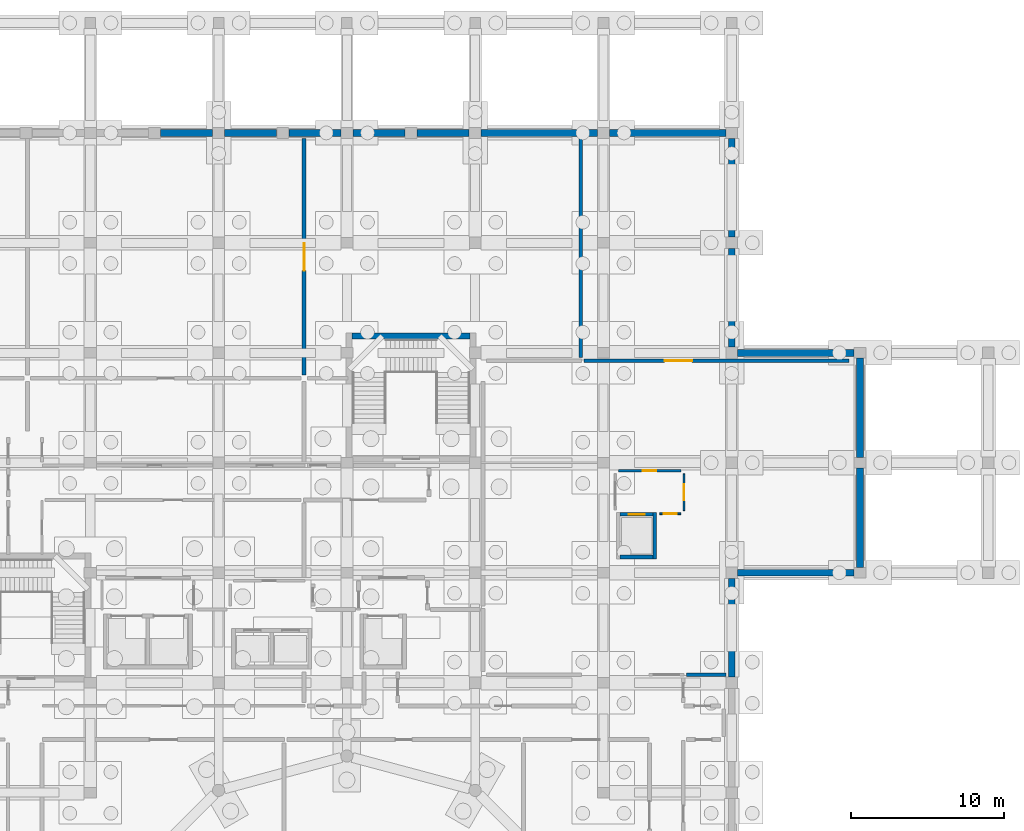
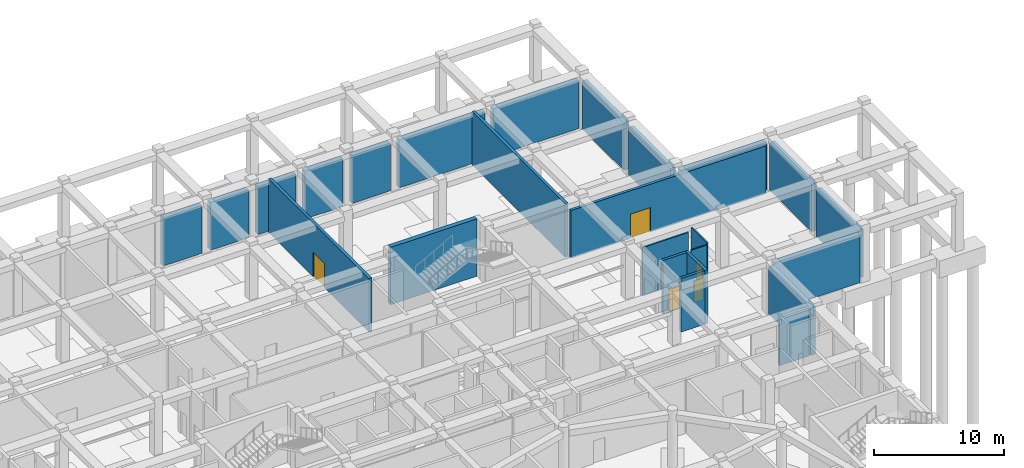
# One storey, part 26 of 32: 25 walls, 6 doors, 6 openings.
"""IFC4 building model written with IfcOpenShell, lengths in metres."""

from ifc_helpers import new_model, si_unit, derived_unit, direction, frame, frame_2d, origin, place, context, subcontext, project, spatial, rectangle, extrude, material, layer, layer_set, type_object, element, fill, save


model = new_model("IFC4")

# Units and contexts
model_context = context("Model", 3, precision=1e-05, world=origin(), true_north=direction((0.0, 1.0)))
body_context = subcontext(model_context, "Body", "Model", "MODEL_VIEW")
ifc_project = project(units=[si_unit("LENGTHUNIT", "METRE"), si_unit("AREAUNIT", "SQUARE_METRE"), si_unit("VOLUMEUNIT", "CUBIC_METRE"), si_unit("PLANEANGLEUNIT", "RADIAN"), si_unit("MASSUNIT", "GRAM", prefix="KILO"), derived_unit("THERMALTRANSMITTANCEUNIT", [(si_unit("POWERUNIT", "WATT"), 1), (si_unit("LENGTHUNIT", "METRE"), -2), (si_unit("THERMODYNAMICTEMPERATUREUNIT", "KELVIN"), -1)])], contexts=[model_context])

# Site, building, storey
site_placement = place(None, origin())
site = spatial("IfcSite", under=ifc_project, at=site_placement, CompositionType="ELEMENT")
building_placement = place(site_placement, origin())
building = spatial("IfcBuilding", under=site, at=building_placement, Name="Veybourne Emporium", CompositionType="ELEMENT")
storey_placement = place(building_placement, frame((0.0, 0.0, -5.39990234375)))
storey = spatial("IfcBuildingStorey", under=building, at=storey_placement, Name="B1", CompositionType="ELEMENT", Elevation=-5.39990234375)

# Walls
ifc_material_1 = material(Name="Concrete C40/50", Category="concrete")
ifc_layer_1 = layer(ifc_material_1, 0.449951171875)
ifc_layer_set_1 = layer_set([ifc_layer_1], Name="Concrete C40/50")
wall_type_1 = type_object("IfcWallType", Name="ExtWall_RW-01", PredefinedType="USERDEFINED", material=ifc_layer_set_1)
wall_1_placement = place(storey_placement, frame((63.39990234375, 108.0, 0.0), z_axis=(0.0, 0.0, 1.0), x_axis=(1.0, 0.0, 0.0)))
element("IfcWall", 1, at=wall_1_placement, inside=storey, type_object=wall_type_1, Name="Basement perimeter retaining wall 035B", ObjectType="RETAININGWALL", PredefinedType="USERDEFINED", context=body_context, shape_type="SweptSolid", body=[
    extrude(rectangle(XDim=3.41015625, YDim=0.449951171875, at=frame_2d((1.705078125, 0.0))), origin(), (0.0, 0.0, 1.0), 4.5),
])
for number, where, z_axis, x_axis, name in (
    (2, (67.590087890625, 108.0, 0.0), (0.0, 0.0, 1.0), (1.0, 0.0, 0.0), "Basement perimeter retaining wall 038A"),
    (3, (71.800048828125, 108.0, 0.0), (0.0, 0.0, 1.0), (1.0, 0.0, 0.0), "Basement perimeter retaining wall 038B"),
    (4, (75.989990234375, 108.0, 0.0), (0.0, 0.0, 1.0), (1.0, 0.0, 0.0), "Basement perimeter retaining wall 046A"),
):
    element("IfcWall", number, at=place(storey_placement, frame(where, z_axis=z_axis, x_axis=x_axis)), inside=storey, type_object=wall_type_1, Name=name, ObjectType="RETAININGWALL", PredefinedType="USERDEFINED", context=body_context, shape_type="SweptSolid", body=[
        extrude(rectangle(XDim=3.409912109375, YDim=0.449951171875, at=frame_2d((1.705078125, 0.0))), origin(), (0.0, 0.0, 1.0), 4.5),
    ])
wall_2_placement = place(storey_placement, frame((80.199951171875, 108.0, 0.0), z_axis=(0.0, 0.0, 1.0), x_axis=(1.0, 0.0, 0.0)))
element("IfcWall", 5, at=wall_2_placement, inside=storey, type_object=wall_type_1, Name="Basement perimeter retaining wall 046B", ObjectType="RETAININGWALL", PredefinedType="USERDEFINED", context=body_context, shape_type="SweptSolid", body=[
    extrude(rectangle(XDim=3.41015625, YDim=0.449951171875, at=frame_2d((1.705078125, 0.0))), origin(), (0.0, 0.0, 1.0), 4.5),
])
wall_3_placement = place(storey_placement, frame((84.389892578125, 108.0, 0.0), z_axis=(0.0, 0.0, 1.0), x_axis=(1.0, 0.0, 0.0)))
element("IfcWall", 6, at=wall_3_placement, inside=storey, type_object=wall_type_1, Name="Basement perimeter retaining wall 051", ObjectType="RETAININGWALL", PredefinedType="USERDEFINED", context=body_context, shape_type="SweptSolid", body=[
    extrude(rectangle(XDim=7.6201171875, YDim=0.449951171875, at=frame_2d((3.81005859375, 0.0))), origin(), (0.0, 0.0, 1.0), 4.5),
])
for number, where, z_axis, x_axis, name in (
    (7, (100.800048828125, 78.824951171875, 0.0), (0.0, 0.0, 1.0), (0.0, -1.0, 0.0), "Basement perimeter retaining wall 060"),
    (8, (100.800048828125, 100.425048828125, 0.0), (0.0, 0.0, 1.0), (0.0, -1.0, 0.0), "Basement perimeter retaining wall 061"),
):
    element("IfcWall", number, at=place(storey_placement, frame(where, z_axis=z_axis, x_axis=x_axis)), inside=storey, type_object=wall_type_1, Name=name, ObjectType="RETAININGWALL", PredefinedType="USERDEFINED", context=body_context, shape_type="SweptSolid", body=[
        extrude(rectangle(XDim=6.449951171875, YDim=0.449951171875, at=frame_2d((3.22509765625, 0.0))), origin(), (0.0, 0.0, 1.0), 4.5),
    ])
wall_4_placement = place(storey_placement, frame((100.800048828125, 107.639892578125, 0.0), z_axis=(0.0, 0.0, 1.0), x_axis=(0.0, -1.0, 0.0)))
element("IfcWall", 9, at=wall_4_placement, inside=storey, type_object=wall_type_1, Name="Basement perimeter retaining wall 062", ObjectType="RETAININGWALL", PredefinedType="USERDEFINED", context=body_context, shape_type="SweptSolid", body=[
    extrude(rectangle(XDim=6.46484375, YDim=0.449951171875, at=frame_2d((3.232421875, 0.0))), origin(), (0.0, 0.0, 1.0), 4.5),
])
wall_5_placement = place(storey_placement, frame((92.7900390625, 108.0, 0.0), z_axis=(0.0, 0.0, 1.0), x_axis=(1.0, 0.0, 0.0)))
element("IfcWall", 10, at=wall_5_placement, inside=storey, type_object=wall_type_1, Name="Basement perimeter retaining wall 063", ObjectType="RETAININGWALL", PredefinedType="USERDEFINED", context=body_context, shape_type="SweptSolid", body=[
    extrude(rectangle(XDim=7.619873046875, YDim=0.449951171875, at=frame_2d((3.81005859375, 0.0))), origin(), (0.0, 0.0, 1.0), 4.5),
])
wall_6_placement = place(storey_placement, frame((108.800048828125, 79.199951171875, 0.0), z_axis=(0.0, 0.0, 1.0), x_axis=(-1.0, 0.0, 0.0)))
element("IfcWall", 11, at=wall_6_placement, inside=storey, type_object=wall_type_1, Name="Basement perimeter retaining wall 066", ObjectType="RETAININGWALL", PredefinedType="USERDEFINED", context=body_context, shape_type="SweptSolid", body=[
    extrude(rectangle(XDim=7.625, YDim=0.449951171875, at=frame_2d((3.8125, 0.0))), origin(), (0.0, 0.0, 1.0), 4.5),
])
for number, where, z_axis, x_axis, name in (
    (12, (109.199951171875, 86.050048828125, 0.0), (0.0, 0.0, 1.0), (0.0, -1.0, 0.0), "Basement perimeter retaining wall 067"),
    (13, (109.199951171875, 93.25, 0.0), (0.0, 0.0, 1.0), (0.0, -1.0, 0.0), "Basement perimeter retaining wall 068"),
):
    element("IfcWall", number, at=place(storey_placement, frame(where, z_axis=z_axis, x_axis=x_axis)), inside=storey, type_object=wall_type_1, Name=name, ObjectType="RETAININGWALL", PredefinedType="USERDEFINED", context=body_context, shape_type="SweptSolid", body=[
        extrude(rectangle(XDim=6.5, YDim=0.449951171875, at=frame_2d((3.25, 0.0))), origin(), (0.0, 0.0, 1.0), 4.5),
    ])
wall_7_placement = place(storey_placement, frame((101.175048828125, 93.60009765625, 0.0), z_axis=(0.0, 0.0, 1.0), x_axis=(1.0, 0.0, 0.0)))
element("IfcWall", 14, at=wall_7_placement, inside=storey, type_object=wall_type_1, Name="Basement perimeter retaining wall 069", ObjectType="RETAININGWALL", PredefinedType="USERDEFINED", context=body_context, shape_type="SweptSolid", body=[
    extrude(rectangle(XDim=7.625, YDim=0.449951171875, at=frame_2d((3.8125, 0.0))), origin(), (0.0, 0.0, 1.0), 4.5),
])
ifc_layer_2 = layer(ifc_material_1, 0.39990234375)
ifc_layer_set_2 = layer_set([ifc_layer_2], Name="Concrete C40/50")
wall_type_2 = type_object("IfcWallType", Name="IntWall_CW-01", PredefinedType="SHEAR", material=ifc_layer_set_2)
wall_8_placement = place(storey_placement, frame((75.949951171875, 94.699951171875, 0.0), z_axis=(0.0, 0.0, 1.0), x_axis=(1.0, 0.0, 0.0)))
element("IfcWall", 15, at=wall_8_placement, inside=storey, type_object=wall_type_2, Name="Core stair ST-04 north shear wall (B1)", PredefinedType="SHEAR", context=body_context, shape_type="SweptSolid", body=[
    extrude(rectangle(XDim=7.699951171875, YDim=0.39990234375, at=frame_2d((3.85009765625, 0.0))), origin(), (0.0, 0.0, 1.0), 5.39990234375),
])

# Wall, opening, door
ifc_layer_3 = layer(ifc_material_1, 0.239990234375)
ifc_layer_set_3 = layer_set([ifc_layer_3], Name="Concrete C40/50")
wall_type_3 = type_object("IfcWallType", Name="IntWall_CW-04", PredefinedType="SHEAR", material=ifc_layer_set_3)
wall_9_placement = place(storey_placement, frame((95.64990234375, 83.02001953125, 0.0), z_axis=(0.0, 0.0, 1.0), x_axis=(-1.0, 0.0, 0.0)))
wall_9 = element("IfcWall", 16, at=wall_9_placement, inside=storey, type_object=wall_type_3, Name="Lift core CL north shaft wall (B1)", PredefinedType="SHEAR", context=body_context, shape_type="SweptSolid", body=[
    extrude(rectangle(XDim=2.14990234375, YDim=0.239990234375, at=frame_2d((1.074951171875, 0.0))), origin(), (0.0, 0.0, 1.0), 5.0498046875),
])
opening_1_placement = place(wall_9_placement, frame((0.550048828125, 0.0, 0.0)))
opening_1 = element("IfcOpeningElement", 17, at=opening_1_placement, cuts=wall_9, Name="Opening LD-04", PredefinedType="OPENING", context=body_context, shape_type="SweptSolid", body=[
    extrude(rectangle(XDim=1.050048828125, YDim=2.199951171875, at=frame_2d((0.52490234375, 1.10009765625))), frame((0.0, 0.14013671875, 0.0), z_axis=(0.0, -1.0, 0.0), x_axis=(1.0, 0.0, 0.0)), (0.0, 0.0, 1.0), 0.280029296875),
])
ifc_material_2 = material(Name="Patinated Architectural Bronze", Category="bronze")
door_type_1 = type_object("IfcDoorType", Name="FireDoor_LD-04", OperationType="SLIDING_TO_RIGHT", PredefinedType="DOOR", material=ifc_material_2)
door_1_placement = place(opening_1_placement, origin())
door_1 = element("IfcDoor", 18, at=door_1_placement, inside=storey, type_object=door_type_1, Name="Lift CL-01 sliding landing door (B1)", OperationType="SLIDING_TO_RIGHT", OverallHeight=2.199951171875, OverallWidth=1.050048828125, PredefinedType="DOOR", context=body_context, shape_type="SweptSolid", body=[
    extrude(rectangle(XDim=1.050048828125, YDim=2.199951171875, at=frame_2d((0.52490234375, 1.10009765625))), frame((0.0, 0.02490234375, 0.0), z_axis=(0.0, -1.0, 0.0), x_axis=(1.0, 0.0, 0.0)), (0.0, 0.0, 1.0), 0.050048828125),
])
fill(opening_1, door_1)

# Walls
wall_10_placement = place(storey_placement, frame((93.5, 80.22998046875, 0.0), z_axis=(0.0, 0.0, 1.0), x_axis=(1.0, 0.0, 0.0)))
element("IfcWall", 19, at=wall_10_placement, inside=storey, type_object=wall_type_3, Name="Lift core CL south shaft wall (B1)", PredefinedType="SHEAR", context=body_context, shape_type="SweptSolid", body=[
    extrude(rectangle(XDim=2.14990234375, YDim=0.239990234375, at=frame_2d((1.074951171875, 0.0))), origin(), (0.0, 0.0, 1.0), 5.0498046875),
])
wall_11_placement = place(storey_placement, frame((95.77001953125, 80.110107421875, 0.0), z_axis=(0.0, 0.0, 1.0), x_axis=(0.0, 1.0, 0.0)))
element("IfcWall", 20, at=wall_11_placement, inside=storey, type_object=wall_type_3, Name="Lift core CL east shaft wall (B1)", PredefinedType="SHEAR", context=body_context, shape_type="SweptSolid", body=[
    extrude(rectangle(XDim=3.02978515625, YDim=0.239990234375, at=frame_2d((1.514892578125, 0.0))), origin(), (0.0, 0.0, 1.0), 5.0498046875),
])

# Wall, opening, door
ifc_material_3 = material(Name="Concrete C32/40", Category="concrete")
ifc_layer_4 = layer(ifc_material_3, 0.25)
ifc_layer_set_4 = layer_set([ifc_layer_4], Name="Concrete C32/40")
wall_type_4 = type_object("IfcWallType", Name="IntWall_FW-01", PredefinedType="SOLIDWALL", material=ifc_layer_set_4)
wall_12_placement = place(storey_placement, frame((91.1298828125, 93.080078125, 0.0), z_axis=(0.0, 0.0, 1.0), x_axis=(1.0, 0.0, 0.0)))
wall_12 = element("IfcWall", 21, at=wall_12_placement, inside=storey, type_object=wall_type_4, Name="B1 interior partition FW-01 #140", PredefinedType="SOLIDWALL", context=body_context, shape_type="SweptSolid", body=[
    extrude(rectangle(XDim=17.340087890625, YDim=0.25, at=frame_2d((8.669921875, 0.0))), origin(), (0.0, 0.0, 1.0), 4.5),
])
opening_2_placement = place(wall_12_placement, frame((5.28369140625, 0.0, 0.0)))
opening_2 = element("IfcOpeningElement", 22, at=opening_2_placement, cuts=wall_12, Name="Opening FD-03", PredefinedType="OPENING", context=body_context, shape_type="SweptSolid", body=[
    extrude(rectangle(XDim=1.800048828125, YDim=2.300048828125, at=frame_2d((0.89990234375, 1.14990234375))), frame((0.0, 0.14501953125, 0.0), z_axis=(0.0, -1.0, 0.0), x_axis=(1.0, 0.0, 0.0)), (0.0, 0.0, 1.0), 0.2900390625),
])
door_type_2 = type_object("IfcDoorType", Name="FireDoor_FD-03", OperationType="DOUBLE_DOOR_SINGLE_SWING", PredefinedType="DOOR", material=ifc_material_2)
door_2_placement = place(opening_2_placement, origin())
door_2 = element("IfcDoor", 23, at=door_2_placement, inside=storey, type_object=door_type_2, Name="B1 interior door FD-03 (PART-B1-140)", OperationType="DOUBLE_DOOR_SINGLE_SWING", OverallHeight=2.300048828125, OverallWidth=1.800048828125, PredefinedType="DOOR", context=body_context, shape_type="SweptSolid", body=[
    extrude(rectangle(XDim=1.800048828125, YDim=2.300048828125, at=frame_2d((0.89990234375, 1.14990234375))), frame((0.0, 0.02490234375, 0.0), z_axis=(0.0, -1.0, 0.0), x_axis=(1.0, 0.0, 0.0)), (0.0, 0.0, 1.0), 0.050048828125),
])
fill(opening_2, door_2)

wall_13_placement = place(storey_placement, frame((72.800048828125, 92.139892578125, 0.0), z_axis=(0.0, 0.0, 1.0), x_axis=(0.0, 1.0, 0.0)))
wall_13 = element("IfcWall", 24, at=wall_13_placement, inside=storey, type_object=wall_type_4, Name="B1 interior partition FW-01 #146", PredefinedType="SOLIDWALL", context=body_context, shape_type="SweptSolid", body=[
    extrude(rectangle(XDim=15.489990234375, YDim=0.25, at=frame_2d((7.7451171875, 0.0))), origin(), (0.0, 0.0, 1.0), 5.0498046875),
])
opening_3_placement = place(wall_13_placement, frame((6.844970703125, 0.0, 0.0)))
opening_3 = element("IfcOpeningElement", 25, at=opening_3_placement, cuts=wall_13, Name="Opening FD-03", PredefinedType="OPENING", context=body_context, shape_type="SweptSolid", body=[
    extrude(rectangle(XDim=1.800048828125, YDim=2.300048828125, at=frame_2d((0.89990234375, 1.14990234375))), frame((0.0, 0.14501953125, 0.0), z_axis=(0.0, -1.0, 0.0), x_axis=(1.0, 0.0, 0.0)), (0.0, 0.0, 1.0), 0.2900390625),
])
door_3_placement = place(opening_3_placement, origin())
door_3 = element("IfcDoor", 26, at=door_3_placement, inside=storey, type_object=door_type_2, Name="B1 interior door FD-03 (PART-B1-146)", OperationType="DOUBLE_DOOR_SINGLE_SWING", OverallHeight=2.300048828125, OverallWidth=1.800048828125, PredefinedType="DOOR", context=body_context, shape_type="SweptSolid", body=[
    extrude(rectangle(XDim=1.800048828125, YDim=2.300048828125, at=frame_2d((0.89990234375, 1.14990234375))), frame((0.0, 0.02490234375, 0.0), z_axis=(0.0, -1.0, 0.0), x_axis=(1.0, 0.0, 0.0)), (0.0, 0.0, 1.0), 0.050048828125),
])
fill(opening_3, door_3)

# Walls
wall_14_placement = place(storey_placement, frame((90.919921875, 93.2900390625, 0.0), z_axis=(0.0, 0.0, 1.0), x_axis=(0.0, 1.0, 0.0)))
element("IfcWall", 27, at=wall_14_placement, inside=storey, type_object=wall_type_4, Name="B1 interior partition FW-01 #152", PredefinedType="SOLIDWALL", context=body_context, shape_type="SweptSolid", body=[
    extrude(rectangle(XDim=14.33984375, YDim=0.25, at=frame_2d((7.169921875, 0.0))), origin(), (0.0, 0.0, 1.0), 5.0498046875),
])
wall_15_placement = place(storey_placement, frame((97.840087890625, 72.52001953125, 0.0), z_axis=(0.0, 0.0, 1.0), x_axis=(1.0, 0.0, 0.0)))
element("IfcWall", 28, at=wall_15_placement, inside=storey, type_object=wall_type_4, Name="B1 interior partition FW-01 #178", PredefinedType="SOLIDWALL", context=body_context, shape_type="SweptSolid", body=[
    extrude(rectangle(XDim=2.58984375, YDim=0.25, at=frame_2d((1.294921875, 0.0))), origin(), (0.0, 0.0, 1.0), 4.5498046875),
])

# Wall, opening, door
ifc_material_4 = material(Name="Gypsum Acoustic Board", Category="gypsum")
ifc_layer_5 = layer(ifc_material_4, 0.14990234375)
ifc_layer_set_5 = layer_set([ifc_layer_5], Name="Gypsum Acoustic Board")
wall_type_5 = type_object("IfcWallType", Name="IntWall_IW-02", PredefinedType="PARTITIONING", material=ifc_layer_set_5)
wall_16_placement = place(storey_placement, frame((93.3798828125, 85.8798828125, 0.0), z_axis=(0.0, 0.0, 1.0), x_axis=(1.0, 0.0, 0.0)))
wall_16 = element("IfcWall", 29, at=wall_16_placement, inside=storey, type_object=wall_type_5, Name="B1 interior partition IW-02 #079", PredefinedType="PARTITIONING", context=body_context, shape_type="SweptSolid", body=[
    extrude(rectangle(XDim=4.090087890625, YDim=0.14990234375, at=frame_2d((2.044921875, 0.0))), origin(), (0.0, 0.0, 1.0), 4.5498046875),
])
opening_4_placement = place(wall_16_placement, frame((1.60498046875, 0.0, 0.0)))
opening_4 = element("IfcOpeningElement", 30, at=opening_4_placement, cuts=wall_16, Name="Opening D-07", PredefinedType="OPENING", context=body_context, shape_type="SweptSolid", body=[
    extrude(rectangle(XDim=0.8798828125, YDim=2.1298828125, at=frame_2d((0.43994140625, 1.06494140625))), frame((0.0, 0.094970703125, 0.0), z_axis=(0.0, -1.0, 0.0), x_axis=(1.0, 0.0, 0.0)), (0.0, 0.0, 1.0), 0.18994140625),
])
ifc_material_5 = material(Name="European Oak Veneer and Bronze", Category="wood")
door_type_3 = type_object("IfcDoorType", Name="IntDoor_D-07", OperationType="NOTDEFINED", PredefinedType="DOOR", material=ifc_material_5)
door_4_placement = place(opening_4_placement, origin())
door_4 = element("IfcDoor", 31, at=door_4_placement, inside=storey, type_object=door_type_3, Name="B1 interior door D-07 (PART-B1-079)", OperationType="SINGLE_SWING_RIGHT", OverallHeight=2.1298828125, OverallWidth=0.8798828125, PredefinedType="DOOR", context=body_context, shape_type="SweptSolid", body=[
    extrude(rectangle(XDim=0.8798828125, YDim=2.1298828125, at=frame_2d((0.43994140625, 1.06494140625))), frame((0.0, 0.02490234375, 0.0), z_axis=(0.0, -1.0, 0.0), x_axis=(1.0, 0.0, 0.0)), (0.0, 0.0, 1.0), 0.050048828125),
])
fill(opening_4, door_4)

ifc_layer_6 = layer(ifc_material_4, 0.1201171875)
ifc_layer_set_6 = layer_set([ifc_layer_6], Name="Gypsum Acoustic Board")
wall_type_6 = type_object("IfcWallType", Name="IntWall_IW-03", PredefinedType="PARTITIONING", material=ifc_layer_set_6)
wall_17_placement = place(storey_placement, frame((97.679931640625, 83.27001953125, 0.0), z_axis=(0.0, 0.0, 1.0), x_axis=(0.0, 1.0, 0.0)))
wall_17 = element("IfcWall", 32, at=wall_17_placement, inside=storey, type_object=wall_type_6, Name="B1 interior partition IW-03 #092", PredefinedType="PARTITIONING", context=body_context, shape_type="SweptSolid", body=[
    extrude(rectangle(XDim=2.39990234375, YDim=0.1201171875, at=frame_2d((1.199951171875, 0.0))), origin(), (0.0, 0.0, 1.0), 5.0498046875),
])
opening_5_placement = place(wall_17_placement, frame((0.679931640625, 0.0, 0.0)))
opening_5 = element("IfcOpeningElement", 33, at=opening_5_placement, cuts=wall_17, Name="Opening D-20", PredefinedType="OPENING", context=body_context, shape_type="SweptSolid", body=[
    extrude(rectangle(XDim=1.0400390625, YDim=2.2900390625, at=frame_2d((0.52001953125, 1.14501953125))), frame((0.0, 0.080078125, 0.0), z_axis=(0.0, -1.0, 0.0), x_axis=(1.0, 0.0, 0.0)), (0.0, 0.0, 1.0), 0.16015625),
])
door_type_4 = type_object("IfcDoorType", Name="IntDoor_D-20", OperationType="NOTDEFINED", PredefinedType="DOOR", material=ifc_material_5)
door_5_placement = place(opening_5_placement, origin())
door_5 = element("IfcDoor", 34, at=door_5_placement, inside=storey, type_object=door_type_4, Name="B1 interior door D-20 (PART-B1-092)", OperationType="SINGLE_SWING_LEFT", OverallHeight=2.2900390625, OverallWidth=1.0400390625, PredefinedType="DOOR", context=body_context, shape_type="SweptSolid", body=[
    extrude(rectangle(XDim=1.0400390625, YDim=2.2900390625, at=frame_2d((0.52001953125, 1.14501953125))), frame((0.0, 0.02490234375, 0.0), z_axis=(0.0, -1.0, 0.0), x_axis=(1.0, 0.0, 0.0)), (0.0, 0.0, 1.0), 0.050048828125),
])
fill(opening_5, door_5)

wall_18_placement = place(storey_placement, frame((96.077880859375, 83.06005859375, 0.0), z_axis=(0.0, 0.0, 1.0), x_axis=(1.0, 0.0, 0.0)))
wall_18 = element("IfcWall", 35, at=wall_18_placement, inside=storey, type_object=wall_type_6, Name="B1 interior partition IW-03 #134", PredefinedType="PARTITIONING", context=body_context, shape_type="SweptSolid", body=[
    extrude(rectangle(XDim=1.39208984375, YDim=0.1201171875, at=frame_2d((0.696044921875, 0.0))), origin(), (0.0, 0.0, 1.0), 5.0498046875),
])
opening_6_placement = place(wall_18_placement, frame((0.256103515625, 0.0, 0.0)))
opening_6 = element("IfcOpeningElement", 36, at=opening_6_placement, cuts=wall_18, Name="Opening D-01", PredefinedType="OPENING", context=body_context, shape_type="SweptSolid", body=[
    extrude(rectangle(XDim=0.8798828125, YDim=2.050048828125, at=frame_2d((0.43994140625, 1.02490234375))), frame((0.0, 0.080078125, 0.0), z_axis=(0.0, -1.0, 0.0), x_axis=(1.0, 0.0, 0.0)), (0.0, 0.0, 1.0), 0.16015625),
])
door_type_5 = type_object("IfcDoorType", Name="IntDoor_D-01", OperationType="NOTDEFINED", PredefinedType="DOOR", material=ifc_material_5)
door_6_placement = place(opening_6_placement, origin())
door_6 = element("IfcDoor", 37, at=door_6_placement, inside=storey, type_object=door_type_5, Name="B1 interior door D-01 (PART-B1-134)", OperationType="SINGLE_SWING_LEFT", OverallHeight=2.050048828125, OverallWidth=0.8798828125, PredefinedType="DOOR", context=body_context, shape_type="SweptSolid", body=[
    extrude(rectangle(XDim=0.8798828125, YDim=2.050048828125, at=frame_2d((0.43994140625, 1.02490234375))), frame((0.0, 0.02490234375, 0.0), z_axis=(0.0, -1.0, 0.0), x_axis=(1.0, 0.0, 0.0)), (0.0, 0.0, 1.0), 0.050048828125),
])
fill(opening_6, door_6)

save(model, "model.ifc")
